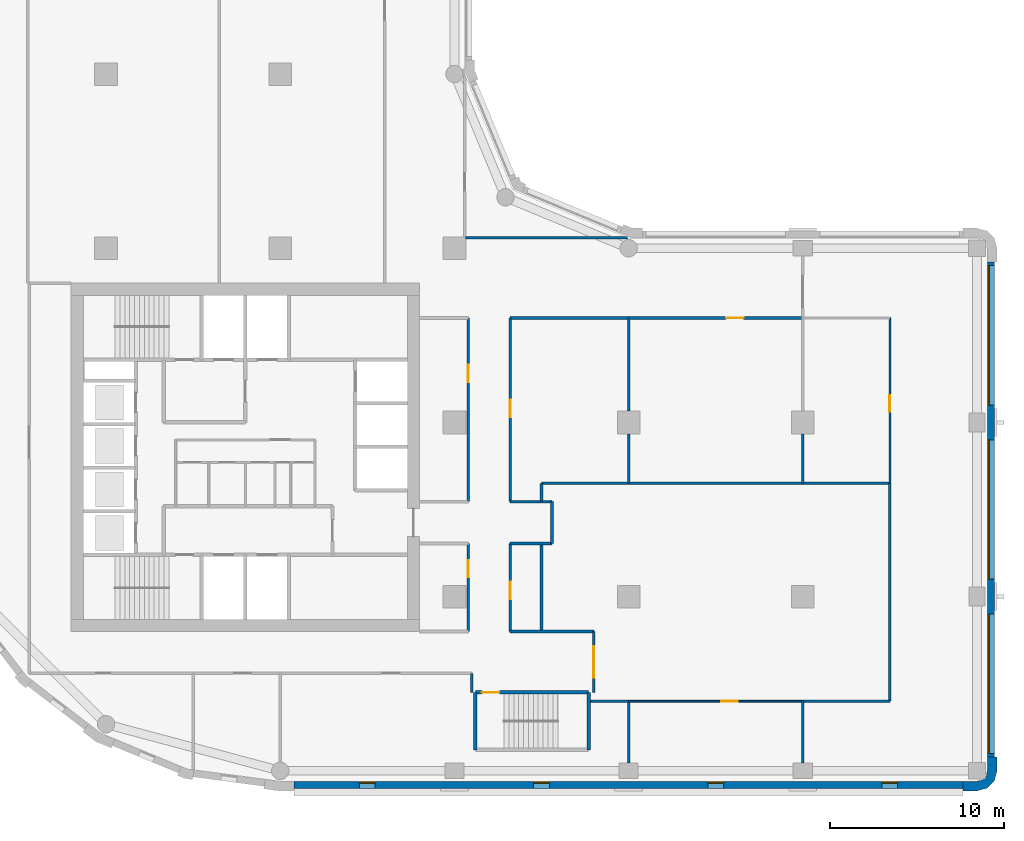
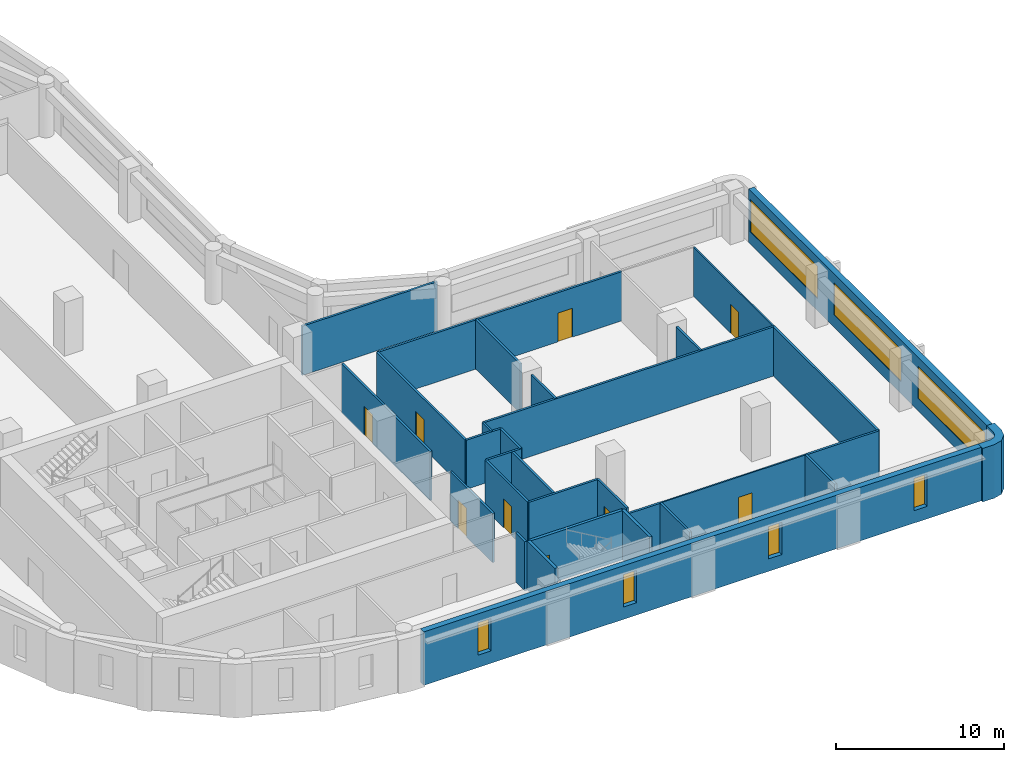
# One storey, part 4 of 9: 31 walls, 9 doors, 7 windows, 16 openings.
"""IFC4 building model written with IfcOpenShell, lengths in metres."""

from ifc_helpers import new_model, si_unit, direction, frame, frame_2d, origin, place, context, subcontext, project, spatial, polyline, rectangle, outline, extrude, material, layer, layer_set, type_object, element, fill, save


model = new_model("IFC4")

# Units and contexts
model_context = context("Model", 3, precision=1e-05, world=origin(), true_north=direction((0.0, 1.0)))
body_context = subcontext(model_context, "Body", "Model", "MODEL_VIEW")
ifc_project = project(units=[si_unit("LENGTHUNIT", "METRE"), si_unit("AREAUNIT", "SQUARE_METRE"), si_unit("VOLUMEUNIT", "CUBIC_METRE"), si_unit("PLANEANGLEUNIT", "RADIAN"), si_unit("MASSUNIT", "GRAM", prefix="KILO")], contexts=[model_context])

# Site, building, storey
site_placement = place(None, origin())
site = spatial("IfcSite", under=ifc_project, at=site_placement, CompositionType="ELEMENT")
building_placement = place(site_placement, origin())
building = spatial("IfcBuilding", under=site, at=building_placement, Name="Qaws Garden Tower", CompositionType="ELEMENT")
storey_placement = place(building_placement, frame((0.0, 0.0, 147.300048828125)))
storey = spatial("IfcBuildingStorey", under=building, at=storey_placement, Name="L35", CompositionType="ELEMENT", Elevation=147.300048828125)

# Wall
ifc_material_1 = material(Name="Clay facing brick masonry", Category="masonry")
ifc_layer_1 = layer(ifc_material_1, 0.550048828125)
ifc_layer_set_1 = layer_set([ifc_layer_1], Name="Clay facing brick masonry")
wall_type_1 = type_object("IfcWallType", Name="Brick corner pier 550 x 2400", PredefinedType="SOLIDWALL", material=ifc_layer_set_1)
wall_1_placement = place(storey_placement, origin())
element("IfcWall", 1, at=wall_1_placement, inside=storey, type_object=wall_type_1, Name="E-L35-pier-04", PredefinedType="SOLIDWALL", context=body_context, shape_type="SweptSolid", body=[
    extrude(outline(polyline([(59.199951171875, -1.0), (59.199951171875, -1.14990234375), (60.0, -1.14990234375), (60.574951171875, -0.995849609375), (60.995849609375, -0.574951171875), (61.14990234375, 0.0), (61.14990234375, 0.800048828125), (61.0, 0.800048828125), (60.60009765625, 0.800048828125), (60.60009765625, 0.0), (60.51953125, -0.300048828125), (60.300048828125, -0.51953125), (60.0, -0.60009765625), (59.199951171875, -0.60009765625), (59.199951171875, -1.0)])), origin(), (0.0, 0.0, 1.0), 3.89990234375),
])

# Wall, openings, windows
ifc_material_2 = material(Name="Clay facing brick masonry", Category="masonry")
ifc_layer_2 = layer(ifc_material_2, 0.39990234375)
ifc_layer_set_2 = layer_set([ifc_layer_2], Name="Clay facing brick masonry")
wall_type_2 = type_object("IfcWallType", Name="Brick infill wall 400", PredefinedType="SOLIDWALL", material=ifc_layer_set_2)
wall_2_placement = place(storey_placement, frame((20.800048828125, -0.800048828125, 0.0), z_axis=(0.0, 0.0, 1.0), x_axis=(1.0, 0.0, 0.0)))
wall_2 = element("IfcWall", 2, at=wall_2_placement, inside=storey, type_object=wall_type_2, Name="E-L35-infill-00", PredefinedType="SOLIDWALL", context=body_context, shape_type="SweptSolid", body=[
    extrude(rectangle(XDim=38.39990234375, YDim=0.39990234375, at=frame_2d((19.199951171875, 0.0))), origin(), (0.0, 0.0, 1.0), 3.89990234375),
])
opening_1_placement = place(wall_2_placement, frame((3.75, 0.0, 0.89990234375)))
opening_1 = element("IfcOpeningElement", 3, at=opening_1_placement, cuts=wall_2, Name="Opening W09", PredefinedType="OPENING", context=body_context, shape_type="SweptSolid", body=[
    extrude(rectangle(XDim=0.89990234375, YDim=2.35009765625, at=frame_2d((0.449951171875, 1.175048828125))), frame((0.0, 0.2099609375, 0.0), z_axis=(0.0, -1.0, 0.0), x_axis=(1.0, 0.0, 0.0)), (0.0, 0.0, 1.0), 0.419921875),
])
opening_2_placement = place(wall_2_placement, frame((13.75, 0.0, 0.89990234375)))
opening_2 = element("IfcOpeningElement", 4, at=opening_2_placement, cuts=wall_2, Name="Opening W09", PredefinedType="OPENING", context=body_context, shape_type="SweptSolid", body=[
    extrude(rectangle(XDim=0.89990234375, YDim=2.35009765625, at=frame_2d((0.449951171875, 1.175048828125))), frame((0.0, 0.2099609375, 0.0), z_axis=(0.0, -1.0, 0.0), x_axis=(1.0, 0.0, 0.0)), (0.0, 0.0, 1.0), 0.419921875),
])
opening_3_placement = place(wall_2_placement, frame((23.75, 0.0, 0.89990234375)))
opening_3 = element("IfcOpeningElement", 5, at=opening_3_placement, cuts=wall_2, Name="Opening W09", PredefinedType="OPENING", context=body_context, shape_type="SweptSolid", body=[
    extrude(rectangle(XDim=0.89990234375, YDim=2.35009765625, at=frame_2d((0.449951171875, 1.175048828125))), frame((0.0, 0.2099609375, 0.0), z_axis=(0.0, -1.0, 0.0), x_axis=(1.0, 0.0, 0.0)), (0.0, 0.0, 1.0), 0.419921875),
])
opening_4_placement = place(wall_2_placement, frame((33.75, 0.0, 0.89990234375)))
opening_4 = element("IfcOpeningElement", 6, at=opening_4_placement, cuts=wall_2, Name="Opening W09", PredefinedType="OPENING", context=body_context, shape_type="SweptSolid", body=[
    extrude(rectangle(XDim=0.89990234375, YDim=2.35009765625, at=frame_2d((0.449951171875, 1.175048828125))), frame((0.0, 0.2099609375, 0.0), z_axis=(0.0, -1.0, 0.0), x_axis=(1.0, 0.0, 0.0)), (0.0, 0.0, 1.0), 0.419921875),
])
ifc_material_3 = material(Name="Aluminium framed window, clear glazing", Category="aluminium")
window_type_1 = type_object("IfcWindowType", Name="Slit window 900 x 2350", PartitioningType="SINGLE_PANEL", PredefinedType="WINDOW", material=ifc_material_3)
window_1_placement = place(opening_1_placement, origin())
window_1 = element("IfcWindow", 7, at=window_1_placement, inside=storey, type_object=window_type_1, Name="E-L35-window-00-0", OverallHeight=2.35009765625, OverallWidth=0.89990234375, PartitioningType="SINGLE_PANEL", PredefinedType="WINDOW", context=body_context, shape_type="SweptSolid", body=[
    extrude(rectangle(XDim=0.89990234375, YDim=2.35009765625, at=frame_2d((0.449951171875, 1.175048828125))), frame((0.0, 0.159912109375, 0.0), z_axis=(0.0, -1.0, 0.0), x_axis=(1.0, 0.0, 0.0)), (0.0, 0.0, 1.0), 0.06005859375),
])
fill(opening_1, window_1)
window_2_placement = place(opening_2_placement, origin())
window_2 = element("IfcWindow", 8, at=window_2_placement, inside=storey, type_object=window_type_1, Name="E-L35-window-01-0", OverallHeight=2.35009765625, OverallWidth=0.89990234375, PartitioningType="SINGLE_PANEL", PredefinedType="WINDOW", context=body_context, shape_type="SweptSolid", body=[
    extrude(rectangle(XDim=0.89990234375, YDim=2.35009765625, at=frame_2d((0.449951171875, 1.175048828125))), frame((0.0, 0.159912109375, 0.0), z_axis=(0.0, -1.0, 0.0), x_axis=(1.0, 0.0, 0.0)), (0.0, 0.0, 1.0), 0.06005859375),
])
fill(opening_2, window_2)
window_3_placement = place(opening_3_placement, origin())
window_3 = element("IfcWindow", 9, at=window_3_placement, inside=storey, type_object=window_type_1, Name="E-L35-window-02-0", OverallHeight=2.35009765625, OverallWidth=0.89990234375, PartitioningType="SINGLE_PANEL", PredefinedType="WINDOW", context=body_context, shape_type="SweptSolid", body=[
    extrude(rectangle(XDim=0.89990234375, YDim=2.35009765625, at=frame_2d((0.449951171875, 1.175048828125))), frame((0.0, 0.159912109375, 0.0), z_axis=(0.0, -1.0, 0.0), x_axis=(1.0, 0.0, 0.0)), (0.0, 0.0, 1.0), 0.06005859375),
])
fill(opening_3, window_3)
window_4_placement = place(opening_4_placement, origin())
window_4 = element("IfcWindow", 10, at=window_4_placement, inside=storey, type_object=window_type_1, Name="E-L35-window-03-0", OverallHeight=2.35009765625, OverallWidth=0.89990234375, PartitioningType="SINGLE_PANEL", PredefinedType="WINDOW", context=body_context, shape_type="SweptSolid", body=[
    extrude(rectangle(XDim=0.89990234375, YDim=2.35009765625, at=frame_2d((0.449951171875, 1.175048828125))), frame((0.0, 0.159912109375, 0.0), z_axis=(0.0, -1.0, 0.0), x_axis=(1.0, 0.0, 0.0)), (0.0, 0.0, 1.0), 0.06005859375),
])
fill(opening_4, window_4)

wall_3_placement = place(storey_placement, frame((60.800048828125, 0.800048828125, 0.0), z_axis=(0.0, 0.0, 1.0), x_axis=(0.0, 1.0, 0.0)))
wall_3 = element("IfcWall", 11, at=wall_3_placement, inside=storey, type_object=wall_type_2, Name="E-L35-infill-04", PredefinedType="SOLIDWALL", context=body_context, shape_type="SweptSolid", body=[
    extrude(rectangle(XDim=28.39990234375, YDim=0.39990234375, at=frame_2d((14.199951171875, 0.0))), origin(), (0.0, 0.0, 1.0), 3.89990234375),
])
opening_5_placement = place(wall_3_placement, frame((0.199951171875, 0.0, 0.89990234375)))
opening_5 = element("IfcOpeningElement", 12, at=opening_5_placement, cuts=wall_3, Name="Opening W01", PredefinedType="OPENING", context=body_context, shape_type="SweptSolid", body=[
    extrude(rectangle(XDim=8.0, YDim=2.35009765625, at=frame_2d((4.0, 1.175048828125))), frame((0.0, 0.2099609375, 0.0), z_axis=(0.0, -1.0, 0.0), x_axis=(1.0, 0.0, 0.0)), (0.0, 0.0, 1.0), 0.419921875),
])
opening_6_placement = place(wall_3_placement, frame((10.199951171875, 0.0, 0.89990234375)))
opening_6 = element("IfcOpeningElement", 13, at=opening_6_placement, cuts=wall_3, Name="Opening W01", PredefinedType="OPENING", context=body_context, shape_type="SweptSolid", body=[
    extrude(rectangle(XDim=8.0, YDim=2.35009765625, at=frame_2d((4.0, 1.175048828125))), frame((0.0, 0.2099609375, 0.0), z_axis=(0.0, -1.0, 0.0), x_axis=(1.0, 0.0, 0.0)), (0.0, 0.0, 1.0), 0.419921875),
])
opening_7_placement = place(wall_3_placement, frame((20.199951171875, 0.0, 0.89990234375)))
opening_7 = element("IfcOpeningElement", 14, at=opening_7_placement, cuts=wall_3, Name="Opening W01", PredefinedType="OPENING", context=body_context, shape_type="SweptSolid", body=[
    extrude(rectangle(XDim=8.0, YDim=2.35009765625, at=frame_2d((4.0, 1.175048828125))), frame((0.0, 0.2099609375, 0.0), z_axis=(0.0, -1.0, 0.0), x_axis=(1.0, 0.0, 0.0)), (0.0, 0.0, 1.0), 0.419921875),
])
ifc_material_4 = material(Name="Aluminium framed window, clear glazing", Category="aluminium")
window_type_2 = type_object("IfcWindowType", Name="Ribbon window 8000 x 2350", PartitioningType="DOUBLE_PANEL_VERTICAL", PredefinedType="WINDOW", material=ifc_material_4)
window_5_placement = place(opening_5_placement, origin())
window_5 = element("IfcWindow", 15, at=window_5_placement, inside=storey, type_object=window_type_2, Name="E-L35-window-04-0", OverallHeight=2.35009765625, OverallWidth=8.0, PartitioningType="SINGLE_PANEL", PredefinedType="WINDOW", context=body_context, shape_type="SweptSolid", body=[
    extrude(rectangle(XDim=8.0, YDim=2.35009765625, at=frame_2d((4.0, 1.175048828125))), frame((0.0, 0.159912109375, 0.0), z_axis=(0.0, -1.0, 0.0), x_axis=(1.0, 0.0, 0.0)), (0.0, 0.0, 1.0), 0.06005859375),
])
fill(opening_5, window_5)
window_6_placement = place(opening_6_placement, origin())
window_6 = element("IfcWindow", 16, at=window_6_placement, inside=storey, type_object=window_type_2, Name="E-L35-window-05-0", OverallHeight=2.35009765625, OverallWidth=8.0, PartitioningType="SINGLE_PANEL", PredefinedType="WINDOW", context=body_context, shape_type="SweptSolid", body=[
    extrude(rectangle(XDim=8.0, YDim=2.35009765625, at=frame_2d((4.0, 1.175048828125))), frame((0.0, 0.159912109375, 0.0), z_axis=(0.0, -1.0, 0.0), x_axis=(1.0, 0.0, 0.0)), (0.0, 0.0, 1.0), 0.06005859375),
])
fill(opening_6, window_6)
window_7_placement = place(opening_7_placement, origin())
window_7 = element("IfcWindow", 17, at=window_7_placement, inside=storey, type_object=window_type_2, Name="E-L35-window-06-0", OverallHeight=2.35009765625, OverallWidth=8.0, PartitioningType="SINGLE_PANEL", PredefinedType="WINDOW", context=body_context, shape_type="SweptSolid", body=[
    extrude(rectangle(XDim=8.0, YDim=2.35009765625, at=frame_2d((4.0, 1.175048828125))), frame((0.0, 0.159912109375, 0.0), z_axis=(0.0, -1.0, 0.0), x_axis=(1.0, 0.0, 0.0)), (0.0, 0.0, 1.0), 0.06005859375),
])
fill(opening_7, window_7)

# Wall, opening, door
ifc_material_5 = material(Name="Concrete C70", Category="concrete")
ifc_layer_3 = layer(ifc_material_5, 0.199951171875)
ifc_layer_set_3 = layer_set([ifc_layer_3], Name="Concrete C70")
wall_type_3 = type_object("IfcWallType", Name="Core shaft wall 200 C70", PredefinedType="SHEAR", material=ifc_layer_set_3)
wall_4_placement = place(storey_placement, frame((31.199951171875, 4.5, 0.0), z_axis=(0.0, 0.0, 1.0), x_axis=(1.0, 0.0, 0.0)))
wall_4 = element("IfcWall", 18, at=wall_4_placement, inside=storey, type_object=wall_type_3, Name="Shaft wall", PredefinedType="SHEAR", context=body_context, shape_type="SweptSolid", body=[
    extrude(rectangle(XDim=6.5, YDim=0.199951171875, at=frame_2d((3.25, 0.0))), origin(), (0.0, 0.0, 1.0), 3.579833984375),
])
opening_8_placement = place(wall_4_placement, frame((0.375, 0.0, 0.0)))
opening_8 = element("IfcOpeningElement", 19, at=opening_8_placement, cuts=wall_4, Name="Opening SD12", PredefinedType="OPENING", context=body_context, shape_type="SweptSolid", body=[
    extrude(rectangle(XDim=1.0, YDim=2.10009765625, at=frame_2d((0.5, 1.050048828125))), frame((0.0, 0.10986328125, 0.0), z_axis=(0.0, -1.0, 0.0), x_axis=(1.0, 0.0, 0.0)), (0.0, 0.0, 1.0), 0.219970703125),
])
ifc_material_6 = material(Name="Steel S235", Category="steel")
door_type_1 = type_object("IfcDoorType", Name="Stair door 1000x2100", OperationType="SINGLE_SWING_RIGHT", PredefinedType="DOOR", material=ifc_material_6)
door_1_placement = place(opening_8_placement, frame((1.0, 0.0, 0.0), z_axis=(0.0, 0.0, 1.0), x_axis=(-1.0, 0.0, 0.0)))
door_1 = element("IfcDoor", 20, at=door_1_placement, inside=storey, type_object=door_type_1, Name="Stair 5 door", OperationType="SINGLE_SWING_RIGHT", OverallHeight=2.10009765625, OverallWidth=1.0, PredefinedType="DOOR", context=body_context, shape_type="SweptSolid", body=[
    extrude(rectangle(XDim=1.0, YDim=2.10009765625, at=frame_2d((0.5, 1.050048828125))), frame((0.0, 0.02490234375, 0.0), z_axis=(0.0, -1.0, 0.0), x_axis=(1.0, 0.0, 0.0)), (0.0, 0.0, 1.0), 0.050048828125),
])
fill(opening_8, door_1)

# Walls
for number, where, z_axis, x_axis, name in (
    (21, (31.199951171875, 1.199951171875, 0.0), (0.0, 0.0, 1.0), (0.0, 1.0, 0.0), "Shaft wall"),
    (22, (37.699951171875, 1.199951171875, 0.0), (0.0, 0.0, 1.0), (0.0, 1.0, 0.0), "Shaft wall"),
):
    element("IfcWall", number, at=place(storey_placement, frame(where, z_axis=z_axis, x_axis=x_axis)), inside=storey, type_object=wall_type_3, Name=name, PredefinedType="SHEAR", context=body_context, shape_type="SweptSolid", body=[
        extrude(rectangle(XDim=3.300048828125, YDim=0.199951171875, at=frame_2d((1.64990234375, 0.0))), origin(), (0.0, 0.0, 1.0), 3.579833984375),
    ])

# Wall, opening, door
ifc_material_7 = material(Name="Gypsum board partition")
ifc_layer_4 = layer(ifc_material_7, 0.10009765625)
ifc_layer_set_4 = layer_set([ifc_layer_4], Name="Gypsum board partition")
wall_type_4 = type_object("IfcWallType", Name="PARTITION 100", PredefinedType="PARTITIONING", material=ifc_layer_set_4)
wall_5_placement = place(storey_placement, frame((55.0, 16.5, 0.0), z_axis=(0.0, 0.0, 1.0), x_axis=(0.0, 1.0, 0.0)))
wall_5 = element("IfcWall", 23, at=wall_5_placement, inside=storey, type_object=wall_type_4, Name="O-L35-wall-001", PredefinedType="PARTITIONING", context=body_context, shape_type="SweptSolid", body=[
    extrude(rectangle(XDim=9.5, YDim=0.10009765625, at=frame_2d((4.75, 0.0))), origin(), (0.0, 0.0, 1.0), 3.579833984375),
])
opening_9_placement = place(wall_5_placement, frame((4.125, 0.0, 0.0)))
opening_9 = element("IfcOpeningElement", 24, at=opening_9_placement, cuts=wall_5, Name="Opening B219", PredefinedType="OPENING", context=body_context, shape_type="SweptSolid", body=[
    extrude(rectangle(XDim=0.949951171875, YDim=2.10009765625, at=frame_2d((0.47509765625, 1.050048828125))), frame((0.0, 0.06005859375, 0.0), z_axis=(0.0, -1.0, 0.0), x_axis=(1.0, 0.0, 0.0)), (0.0, 0.0, 1.0), 0.1201171875),
])
ifc_material_8 = material(Name="Timber and glass door leaf", Category="wood")
door_type_2 = type_object("IfcDoorType", Name="GLAZED DOOR 950 X 2100", OperationType="SINGLE_SWING_LEFT", PredefinedType="DOOR", material=ifc_material_8)
door_2_placement = place(opening_9_placement, origin())
door_2 = element("IfcDoor", 25, at=door_2_placement, inside=storey, type_object=door_type_2, Name="O-L35-door-019", OperationType="SINGLE_SWING_RIGHT", OverallHeight=2.10009765625, OverallWidth=0.949951171875, PredefinedType="DOOR", context=body_context, shape_type="SweptSolid", body=[
    extrude(rectangle(XDim=0.949951171875, YDim=2.10009765625, at=frame_2d((0.47509765625, 1.050048828125))), frame((0.0, 0.02490234375, 0.0), z_axis=(0.0, -1.0, 0.0), x_axis=(1.0, 0.0, 0.0)), (0.0, 0.0, 1.0), 0.050048828125),
])
fill(opening_9, door_2)

wall_6_placement = place(storey_placement, frame((40.0, 4.0, 0.0), z_axis=(0.0, 0.0, 1.0), x_axis=(1.0, 0.0, 0.0)))
wall_6 = element("IfcWall", 26, at=wall_6_placement, inside=storey, type_object=wall_type_4, Name="O-L35-wall-002", PredefinedType="PARTITIONING", context=body_context, shape_type="SweptSolid", body=[
    extrude(rectangle(XDim=10.0, YDim=0.10009765625, at=frame_2d((5.0, 0.0))), origin(), (0.0, 0.0, 1.0), 3.579833984375),
])
opening_10_placement = place(wall_6_placement, frame((5.324951171875, 0.0, 0.0)))
opening_10 = element("IfcOpeningElement", 27, at=opening_10_placement, cuts=wall_6, Name="Opening B218", PredefinedType="OPENING", context=body_context, shape_type="SweptSolid", body=[
    extrude(rectangle(XDim=0.949951171875, YDim=2.10009765625, at=frame_2d((0.47509765625, 1.050048828125))), frame((0.0, 0.06005859375, 0.0), z_axis=(0.0, -1.0, 0.0), x_axis=(1.0, 0.0, 0.0)), (0.0, 0.0, 1.0), 0.1201171875),
])
door_3_placement = place(opening_10_placement, frame((0.949951171875, 0.0, 0.0), z_axis=(0.0, 0.0, 1.0), x_axis=(-1.0, 0.0, 0.0)))
door_3 = element("IfcDoor", 28, at=door_3_placement, inside=storey, type_object=door_type_2, Name="O-L35-door-018", OperationType="SINGLE_SWING_RIGHT", OverallHeight=2.10009765625, OverallWidth=0.949951171875, PredefinedType="DOOR", context=body_context, shape_type="SweptSolid", body=[
    extrude(rectangle(XDim=0.949951171875, YDim=2.10009765625, at=frame_2d((0.47509765625, 1.050048828125))), frame((0.0, 0.02490234375, 0.0), z_axis=(0.0, -1.0, 0.0), x_axis=(1.0, 0.0, 0.0)), (0.0, 0.0, 1.0), 0.050048828125),
])
fill(opening_10, door_3)

ifc_material_9 = material(Name="Gypsum board partition")
ifc_layer_5 = layer(ifc_material_9, 0.14990234375)
ifc_layer_set_5 = layer_set([ifc_layer_5], Name="Gypsum board partition")
wall_type_5 = type_object("IfcWallType", Name="PARTITION 150 EI 60", PredefinedType="PARTITIONING", material=ifc_layer_set_5)
wall_7_placement = place(storey_placement, frame((30.800048828125, 8.0, 0.0), z_axis=(0.0, 0.0, 1.0), x_axis=(0.0, 1.0, 0.0)))
wall_7 = element("IfcWall", 29, at=wall_7_placement, inside=storey, type_object=wall_type_5, Name="O-L35-wall-015", PredefinedType="PARTITIONING", context=body_context, shape_type="SweptSolid", body=[
    extrude(rectangle(XDim=5.050048828125, YDim=0.14990234375, at=frame_2d((2.52490234375, 0.0))), origin(), (0.0, 0.0, 1.0), 3.579833984375),
])
opening_11_placement = place(wall_7_placement, frame((3.10009765625, 0.0, 0.0)))
opening_11 = element("IfcOpeningElement", 30, at=opening_11_placement, cuts=wall_7, Name="Opening B216", PredefinedType="OPENING", context=body_context, shape_type="SweptSolid", body=[
    extrude(rectangle(XDim=1.0, YDim=2.10009765625, at=frame_2d((0.5, 1.050048828125))), frame((0.0, 0.0849609375, 0.0), z_axis=(0.0, -1.0, 0.0), x_axis=(1.0, 0.0, 0.0)), (0.0, 0.0, 1.0), 0.169921875),
])
ifc_material_10 = material(Name="Timber door leaf", Category="wood")
door_type_3 = type_object("IfcDoorType", Name="TENANCY ENTRANCE DOOR 1000 X 2100", OperationType="SINGLE_SWING_LEFT", PredefinedType="DOOR", material=ifc_material_10)
door_4_placement = place(opening_11_placement, origin())
door_4 = element("IfcDoor", 31, at=door_4_placement, inside=storey, type_object=door_type_3, Name="O-L35-door-016", OperationType="SINGLE_SWING_RIGHT", OverallHeight=2.10009765625, OverallWidth=1.0, PredefinedType="DOOR", context=body_context, shape_type="SweptSolid", body=[
    extrude(rectangle(XDim=1.0, YDim=2.10009765625, at=frame_2d((0.5, 1.050048828125))), frame((0.0, 0.02490234375, 0.0), z_axis=(0.0, -1.0, 0.0), x_axis=(1.0, 0.0, 0.0)), (0.0, 0.0, 1.0), 0.050048828125),
])
fill(opening_11, door_4)

wall_8_placement = place(storey_placement, frame((30.800048828125, 15.450927734375, 0.0), z_axis=(0.0, 0.0, 1.0), x_axis=(0.0, 1.0, 0.0)))
wall_8 = element("IfcWall", 32, at=wall_8_placement, inside=storey, type_object=wall_type_5, Name="O-L35-wall-016", PredefinedType="PARTITIONING", context=body_context, shape_type="SweptSolid", body=[
    extrude(rectangle(XDim=10.548095703125, YDim=0.14990234375, at=frame_2d((5.27392578125, 0.0))), origin(), (0.0, 0.0, 1.0), 3.579833984375),
])
opening_12_placement = place(wall_8_placement, frame((6.85009765625, 0.0, 0.0)))
opening_12 = element("IfcOpeningElement", 33, at=opening_12_placement, cuts=wall_8, Name="Opening B212", PredefinedType="OPENING", context=body_context, shape_type="SweptSolid", body=[
    extrude(rectangle(XDim=1.0, YDim=2.10009765625, at=frame_2d((0.5, 1.050048828125))), frame((0.0, 0.0849609375, 0.0), z_axis=(0.0, -1.0, 0.0), x_axis=(1.0, 0.0, 0.0)), (0.0, 0.0, 1.0), 0.169921875),
])
door_5_placement = place(opening_12_placement, origin())
door_5 = element("IfcDoor", 34, at=door_5_placement, inside=storey, type_object=door_type_3, Name="O-L35-door-012", OperationType="SINGLE_SWING_RIGHT", OverallHeight=2.10009765625, OverallWidth=1.0, PredefinedType="DOOR", context=body_context, shape_type="SweptSolid", body=[
    extrude(rectangle(XDim=1.0, YDim=2.10009765625, at=frame_2d((0.5, 1.050048828125))), frame((0.0, 0.02490234375, 0.0), z_axis=(0.0, -1.0, 0.0), x_axis=(1.0, 0.0, 0.0)), (0.0, 0.0, 1.0), 0.050048828125),
])
fill(opening_12, door_5)

# Wall
wall_9_placement = place(storey_placement, frame((31.0, 4.5009765625, 0.0), z_axis=(0.0, 0.0, 1.0), x_axis=(0.0, 1.0, 0.0)))
element("IfcWall", 35, at=wall_9_placement, inside=storey, type_object=wall_type_5, Name="O-L35-wall-017", PredefinedType="PARTITIONING", context=body_context, shape_type="SweptSolid", body=[
    extrude(rectangle(XDim=1.09912109375, YDim=0.14990234375, at=frame_2d((0.549560546875, 0.0))), origin(), (0.0, 0.0, 1.0), 3.579833984375),
])

# Wall, opening, door
wall_10_placement = place(storey_placement, frame((33.199951171875, 8.0, 0.0), z_axis=(0.0, 0.0, 1.0), x_axis=(0.0, 1.0, 0.0)))
wall_10 = element("IfcWall", 36, at=wall_10_placement, inside=storey, type_object=wall_type_5, Name="O-L35-wall-018", PredefinedType="PARTITIONING", context=body_context, shape_type="SweptSolid", body=[
    extrude(rectangle(XDim=5.050048828125, YDim=0.14990234375, at=frame_2d((2.52490234375, 0.0))), origin(), (0.0, 0.0, 1.0), 3.579833984375),
])
opening_13_placement = place(wall_10_placement, frame((1.85009765625, 0.0, 0.0)))
opening_13 = element("IfcOpeningElement", 37, at=opening_13_placement, cuts=wall_10, Name="Opening B215", PredefinedType="OPENING", context=body_context, shape_type="SweptSolid", body=[
    extrude(rectangle(XDim=1.0, YDim=2.10009765625, at=frame_2d((0.5, 1.050048828125))), frame((0.0, 0.0849609375, 0.0), z_axis=(0.0, -1.0, 0.0), x_axis=(1.0, 0.0, 0.0)), (0.0, 0.0, 1.0), 0.169921875),
])
door_6_placement = place(opening_13_placement, frame((1.0, 0.0, 0.0), z_axis=(0.0, 0.0, 1.0), x_axis=(-1.0, 0.0, 0.0)))
door_6 = element("IfcDoor", 38, at=door_6_placement, inside=storey, type_object=door_type_3, Name="O-L35-door-015", OperationType="SINGLE_SWING_LEFT", OverallHeight=2.10009765625, OverallWidth=1.0, PredefinedType="DOOR", context=body_context, shape_type="SweptSolid", body=[
    extrude(rectangle(XDim=1.0, YDim=2.10009765625, at=frame_2d((0.5, 1.050048828125))), frame((0.0, 0.02490234375, 0.0), z_axis=(0.0, -1.0, 0.0), x_axis=(1.0, 0.0, 0.0)), (0.0, 0.0, 1.0), 0.050048828125),
])
fill(opening_13, door_6)

wall_11_placement = place(storey_placement, frame((33.199951171875, 15.450927734375, 0.0), z_axis=(0.0, 0.0, 1.0), x_axis=(0.0, 1.0, 0.0)))
wall_11 = element("IfcWall", 39, at=wall_11_placement, inside=storey, type_object=wall_type_5, Name="O-L35-wall-019", PredefinedType="PARTITIONING", context=body_context, shape_type="SweptSolid", body=[
    extrude(rectangle(XDim=10.548095703125, YDim=0.14990234375, at=frame_2d((5.27392578125, 0.0))), origin(), (0.0, 0.0, 1.0), 3.579833984375),
])
opening_14_placement = place(wall_11_placement, frame((4.85009765625, 0.0, 0.0)))
opening_14 = element("IfcOpeningElement", 40, at=opening_14_placement, cuts=wall_11, Name="Opening B213", PredefinedType="OPENING", context=body_context, shape_type="SweptSolid", body=[
    extrude(rectangle(XDim=1.0, YDim=2.10009765625, at=frame_2d((0.5, 1.050048828125))), frame((0.0, 0.0849609375, 0.0), z_axis=(0.0, -1.0, 0.0), x_axis=(1.0, 0.0, 0.0)), (0.0, 0.0, 1.0), 0.169921875),
])
door_7_placement = place(opening_14_placement, frame((1.0, 0.0, 0.0), z_axis=(0.0, 0.0, 1.0), x_axis=(-1.0, 0.0, 0.0)))
door_7 = element("IfcDoor", 41, at=door_7_placement, inside=storey, type_object=door_type_3, Name="O-L35-door-013", OperationType="SINGLE_SWING_LEFT", OverallHeight=2.10009765625, OverallWidth=1.0, PredefinedType="DOOR", context=body_context, shape_type="SweptSolid", body=[
    extrude(rectangle(XDim=1.0, YDim=2.10009765625, at=frame_2d((0.5, 1.050048828125))), frame((0.0, 0.02490234375, 0.0), z_axis=(0.0, -1.0, 0.0), x_axis=(1.0, 0.0, 0.0)), (0.0, 0.0, 1.0), 0.050048828125),
])
fill(opening_14, door_7)

# Walls
wall_12_placement = place(storey_placement, frame((35.0, 8.0, 0.0), z_axis=(0.0, 0.0, 1.0), x_axis=(0.0, 1.0, 0.0)))
element("IfcWall", 42, at=wall_12_placement, inside=storey, type_object=wall_type_5, Name="O-L35-wall-020", PredefinedType="PARTITIONING", context=body_context, shape_type="SweptSolid", body=[
    extrude(rectangle(XDim=5.050048828125, YDim=0.14990234375, at=frame_2d((2.52490234375, 0.0))), origin(), (0.0, 0.0, 1.0), 3.579833984375),
])
wall_13_placement = place(storey_placement, frame((35.0, 15.450927734375, 0.0), z_axis=(0.0, 0.0, 1.0), x_axis=(0.0, 1.0, 0.0)))
element("IfcWall", 43, at=wall_13_placement, inside=storey, type_object=wall_type_5, Name="O-L35-wall-021", PredefinedType="PARTITIONING", context=body_context, shape_type="SweptSolid", body=[
    extrude(rectangle(XDim=1.047119140625, YDim=0.14990234375, at=frame_2d((0.5234375, 0.0))), origin(), (0.0, 0.0, 1.0), 3.579833984375),
])
wall_14_placement = place(storey_placement, frame((35.60009765625, 13.050048828125, 0.0), z_axis=(0.0, 0.0, 1.0), x_axis=(0.0, 1.0, 0.0)))
element("IfcWall", 44, at=wall_14_placement, inside=storey, type_object=wall_type_5, Name="O-L35-wall-022", PredefinedType="PARTITIONING", context=body_context, shape_type="SweptSolid", body=[
    extrude(rectangle(XDim=2.39990234375, YDim=0.14990234375, at=frame_2d((1.199951171875, 0.0))), origin(), (0.0, 0.0, 1.0), 3.579833984375),
])

# Wall, opening, door
wall_15_placement = place(storey_placement, frame((38.0, 4.5, 0.0), z_axis=(0.0, 0.0, 1.0), x_axis=(0.0, 1.0, 0.0)))
wall_15 = element("IfcWall", 45, at=wall_15_placement, inside=storey, type_object=wall_type_5, Name="O-L35-wall-023", PredefinedType="PARTITIONING", context=body_context, shape_type="SweptSolid", body=[
    extrude(rectangle(XDim=3.5, YDim=0.14990234375, at=frame_2d((1.75, 0.0))), origin(), (0.0, 0.0, 1.0), 3.579833984375),
])
opening_15_placement = place(wall_15_placement, frame((0.85009765625, 0.0, 0.0)))
opening_15 = element("IfcOpeningElement", 46, at=opening_15_placement, cuts=wall_15, Name="Opening B217", PredefinedType="OPENING", context=body_context, shape_type="SweptSolid", body=[
    extrude(rectangle(XDim=1.800048828125, YDim=2.10009765625, at=frame_2d((0.89990234375, 1.050048828125))), frame((0.0, 0.0849609375, 0.0), z_axis=(0.0, -1.0, 0.0), x_axis=(1.0, 0.0, 0.0)), (0.0, 0.0, 1.0), 0.169921875),
])
ifc_material_11 = material(Name="Timber door leaf", Category="wood")
door_type_4 = type_object("IfcDoorType", Name="DOUBLE DOOR 1800 X 2100", OperationType="DOUBLE_DOOR_SINGLE_SWING", PredefinedType="DOOR", material=ifc_material_11)
door_8_placement = place(opening_15_placement, frame((1.800048828125, 0.0, 0.0), z_axis=(0.0, 0.0, 1.0), x_axis=(-1.0, 0.0, 0.0)))
door_8 = element("IfcDoor", 47, at=door_8_placement, inside=storey, type_object=door_type_4, Name="O-L35-door-017", OperationType="DOUBLE_DOOR_SINGLE_SWING", OverallHeight=2.10009765625, OverallWidth=1.800048828125, PredefinedType="DOOR", context=body_context, shape_type="SweptSolid", body=[
    extrude(rectangle(XDim=1.800048828125, YDim=2.10009765625, at=frame_2d((0.89990234375, 1.050048828125))), frame((0.0, 0.02490234375, 0.0), z_axis=(0.0, -1.0, 0.0), x_axis=(1.0, 0.0, 0.0)), (0.0, 0.0, 1.0), 0.050048828125),
])
fill(opening_15, door_8)

# Walls
wall_16_placement = place(storey_placement, frame((40.0, 0.449951171875, 0.0), z_axis=(0.0, 0.0, 1.0), x_axis=(0.0, 1.0, 0.0)))
element("IfcWall", 48, at=wall_16_placement, inside=storey, type_object=wall_type_5, Name="O-L35-wall-024", PredefinedType="PARTITIONING", context=body_context, shape_type="SweptSolid", body=[
    extrude(rectangle(XDim=3.550048828125, YDim=0.14990234375, at=frame_2d((1.77490234375, 0.0))), origin(), (0.0, 0.0, 1.0), 3.579833984375),
])
wall_17_placement = place(storey_placement, frame((40.0, 16.5009765625, 0.0), z_axis=(0.0, 0.0, 1.0), x_axis=(0.0, 1.0, 0.0)))
element("IfcWall", 49, at=wall_17_placement, inside=storey, type_object=wall_type_5, Name="O-L35-wall-025", PredefinedType="PARTITIONING", context=body_context, shape_type="SweptSolid", body=[
    extrude(rectangle(XDim=2.84912109375, YDim=0.14990234375, at=frame_2d((1.424560546875, 0.0))), origin(), (0.0, 0.0, 1.0), 3.579833984375),
])
wall_18_placement = place(storey_placement, frame((40.0, 20.64990234375, 0.0), z_axis=(0.0, 0.0, 1.0), x_axis=(0.0, 1.0, 0.0)))
element("IfcWall", 50, at=wall_18_placement, inside=storey, type_object=wall_type_5, Name="O-L35-wall-026", PredefinedType="PARTITIONING", context=body_context, shape_type="SweptSolid", body=[
    extrude(rectangle(XDim=5.34912109375, YDim=0.14990234375, at=frame_2d((2.674560546875, 0.0))), origin(), (0.0, 0.0, 1.0), 3.579833984375),
])
wall_19_placement = place(storey_placement, frame((50.0, 0.449951171875, 0.0), z_axis=(0.0, 0.0, 1.0), x_axis=(0.0, 1.0, 0.0)))
element("IfcWall", 51, at=wall_19_placement, inside=storey, type_object=wall_type_5, Name="O-L35-wall-027", PredefinedType="PARTITIONING", context=body_context, shape_type="SweptSolid", body=[
    extrude(rectangle(XDim=3.550048828125, YDim=0.14990234375, at=frame_2d((1.77490234375, 0.0))), origin(), (0.0, 0.0, 1.0), 3.579833984375),
])
wall_20_placement = place(storey_placement, frame((50.0, 16.5, 0.0), z_axis=(0.0, 0.0, 1.0), x_axis=(0.0, 1.0, 0.0)))
element("IfcWall", 52, at=wall_20_placement, inside=storey, type_object=wall_type_5, Name="O-L35-wall-028", PredefinedType="PARTITIONING", context=body_context, shape_type="SweptSolid", body=[
    extrude(rectangle(XDim=2.85009765625, YDim=0.14990234375, at=frame_2d((1.425048828125, 0.0))), origin(), (0.0, 0.0, 1.0), 3.579833984375),
])
wall_21_placement = place(storey_placement, frame((55.0, 4.0, 0.0), z_axis=(0.0, 0.0, 1.0), x_axis=(0.0, 1.0, 0.0)))
element("IfcWall", 53, at=wall_21_placement, inside=storey, type_object=wall_type_5, Name="O-L35-wall-030", PredefinedType="PARTITIONING", context=body_context, shape_type="SweptSolid", body=[
    extrude(rectangle(XDim=12.5, YDim=0.14990234375, at=frame_2d((6.25, 0.0))), origin(), (0.0, 0.0, 1.0), 3.579833984375),
])
wall_22_placement = place(storey_placement, frame((37.800048828125, 4.0, 0.0), z_axis=(0.0, 0.0, 1.0), x_axis=(1.0, 0.0, 0.0)))
element("IfcWall", 54, at=wall_22_placement, inside=storey, type_object=wall_type_5, Name="O-L35-wall-031", PredefinedType="PARTITIONING", context=body_context, shape_type="SweptSolid", body=[
    extrude(rectangle(XDim=2.199951171875, YDim=0.14990234375, at=frame_2d((1.10009765625, 0.0))), origin(), (0.0, 0.0, 1.0), 3.579833984375),
])
wall_23_placement = place(storey_placement, frame((50.0, 4.0, 0.0), z_axis=(0.0, 0.0, 1.0), x_axis=(1.0, 0.0, 0.0)))
element("IfcWall", 55, at=wall_23_placement, inside=storey, type_object=wall_type_5, Name="O-L35-wall-032", PredefinedType="PARTITIONING", context=body_context, shape_type="SweptSolid", body=[
    extrude(rectangle(XDim=5.0, YDim=0.14990234375, at=frame_2d((2.5, 0.0))), origin(), (0.0, 0.0, 1.0), 3.579833984375),
])
wall_24_placement = place(storey_placement, frame((33.199951171875, 8.0, 0.0), z_axis=(0.0, 0.0, 1.0), x_axis=(1.0, 0.0, 0.0)))
element("IfcWall", 56, at=wall_24_placement, inside=storey, type_object=wall_type_5, Name="O-L35-wall-035", PredefinedType="PARTITIONING", context=body_context, shape_type="SweptSolid", body=[
    extrude(rectangle(XDim=4.800048828125, YDim=0.14990234375, at=frame_2d((2.39990234375, 0.0))), origin(), (0.0, 0.0, 1.0), 3.579833984375),
])
wall_25_placement = place(storey_placement, frame((33.199951171875, 13.050048828125, 0.0), z_axis=(0.0, 0.0, 1.0), x_axis=(1.0, 0.0, 0.0)))
element("IfcWall", 57, at=wall_25_placement, inside=storey, type_object=wall_type_5, Name="O-L35-wall-037", PredefinedType="PARTITIONING", context=body_context, shape_type="SweptSolid", body=[
    extrude(rectangle(XDim=2.400146484375, YDim=0.14990234375, at=frame_2d((1.2001953125, 0.0))), origin(), (0.0, 0.0, 1.0), 3.579833984375),
])
wall_26_placement = place(storey_placement, frame((33.200927734375, 15.449951171875, 0.0), z_axis=(0.0, 0.0, 1.0), x_axis=(1.0, 0.0, 0.0)))
element("IfcWall", 58, at=wall_26_placement, inside=storey, type_object=wall_type_5, Name="O-L35-wall-039", PredefinedType="PARTITIONING", context=body_context, shape_type="SweptSolid", body=[
    extrude(rectangle(XDim=2.399169921875, YDim=0.14990234375, at=frame_2d((1.19970703125, 0.0))), origin(), (0.0, 0.0, 1.0), 3.579833984375),
])
wall_27_placement = place(storey_placement, frame((35.001953125, 16.5, 0.0), z_axis=(0.0, 0.0, 1.0), x_axis=(1.0, 0.0, 0.0)))
element("IfcWall", 59, at=wall_27_placement, inside=storey, type_object=wall_type_5, Name="O-L35-wall-040", PredefinedType="PARTITIONING", context=body_context, shape_type="SweptSolid", body=[
    extrude(rectangle(XDim=19.998046875, YDim=0.14990234375, at=frame_2d((9.9990234375, 0.0))), origin(), (0.0, 0.0, 1.0), 3.579833984375),
])

# Wall, opening, door
wall_28_placement = place(storey_placement, frame((33.200927734375, 26.0, 0.0), z_axis=(0.0, 0.0, 1.0), x_axis=(1.0, 0.0, 0.0)))
wall_28 = element("IfcWall", 60, at=wall_28_placement, inside=storey, type_object=wall_type_5, Name="O-L35-wall-042", PredefinedType="PARTITIONING", context=body_context, shape_type="SweptSolid", body=[
    extrude(rectangle(XDim=16.799072265625, YDim=0.14990234375, at=frame_2d((8.3994140625, 0.0))), origin(), (0.0, 0.0, 1.0), 3.579833984375),
])
opening_16_placement = place(wall_28_placement, frame((12.39794921875, 0.0, 0.0)))
opening_16 = element("IfcOpeningElement", 61, at=opening_16_placement, cuts=wall_28, Name="Opening B214", PredefinedType="OPENING", context=body_context, shape_type="SweptSolid", body=[
    extrude(rectangle(XDim=1.0, YDim=2.10009765625, at=frame_2d((0.5, 1.050048828125))), frame((0.0, 0.0849609375, 0.0), z_axis=(0.0, -1.0, 0.0), x_axis=(1.0, 0.0, 0.0)), (0.0, 0.0, 1.0), 0.169921875),
])
door_9_placement = place(opening_16_placement, frame((1.0, 0.0, 0.0), z_axis=(0.0, 0.0, 1.0), x_axis=(-1.0, 0.0, 0.0)))
door_9 = element("IfcDoor", 62, at=door_9_placement, inside=storey, type_object=door_type_3, Name="O-L35-door-014", OperationType="SINGLE_SWING_RIGHT", OverallHeight=2.10009765625, OverallWidth=1.0, PredefinedType="DOOR", context=body_context, shape_type="SweptSolid", body=[
    extrude(rectangle(XDim=1.0, YDim=2.10009765625, at=frame_2d((0.5, 1.050048828125))), frame((0.0, 0.02490234375, 0.0), z_axis=(0.0, -1.0, 0.0), x_axis=(1.0, 0.0, 0.0)), (0.0, 0.0, 1.0), 0.050048828125),
])
fill(opening_16, door_9)

# Wall
wall_29_placement = place(storey_placement, frame((30.64990234375, 30.60009765625, 0.0), z_axis=(0.0, 0.0, 1.0), x_axis=(1.0, 0.0, 0.0)))
element("IfcWall", 63, at=wall_29_placement, inside=storey, type_object=wall_type_5, Name="O-L35-wall-044", PredefinedType="PARTITIONING", context=body_context, shape_type="SweptSolid", body=[
    extrude(rectangle(XDim=9.288330078125, YDim=0.14990234375, at=frame_2d((4.64404296875, 0.0))), origin(), (0.0, 0.0, 1.0), 3.579833984375),
])

save(model, "model.ifc")
